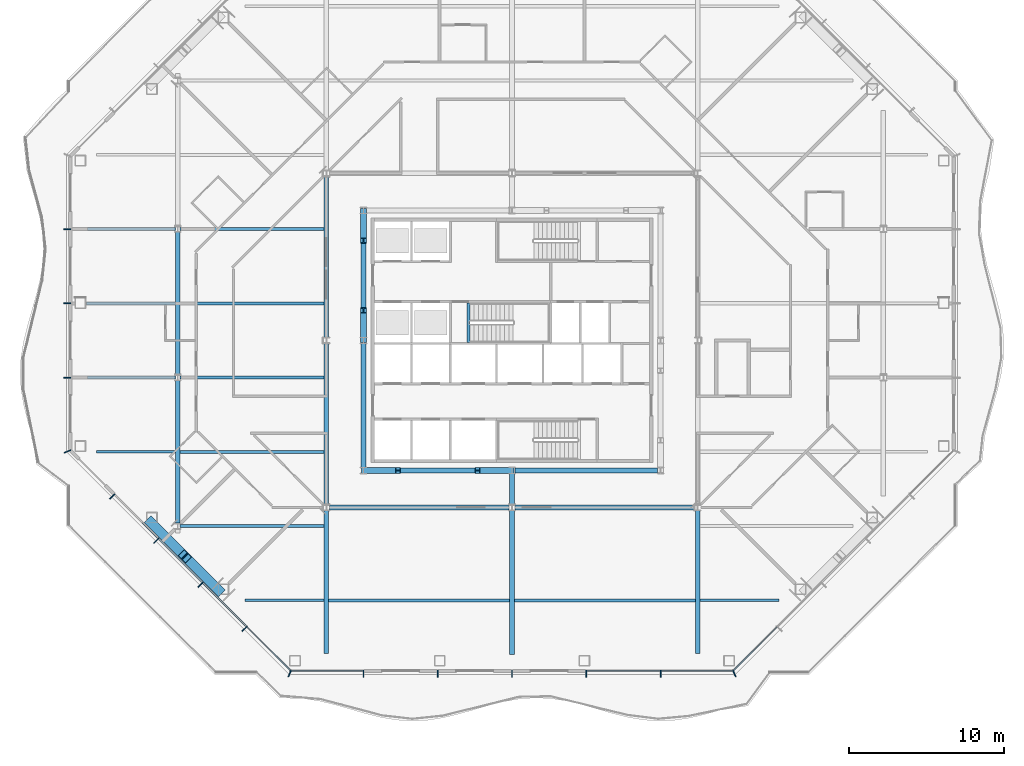
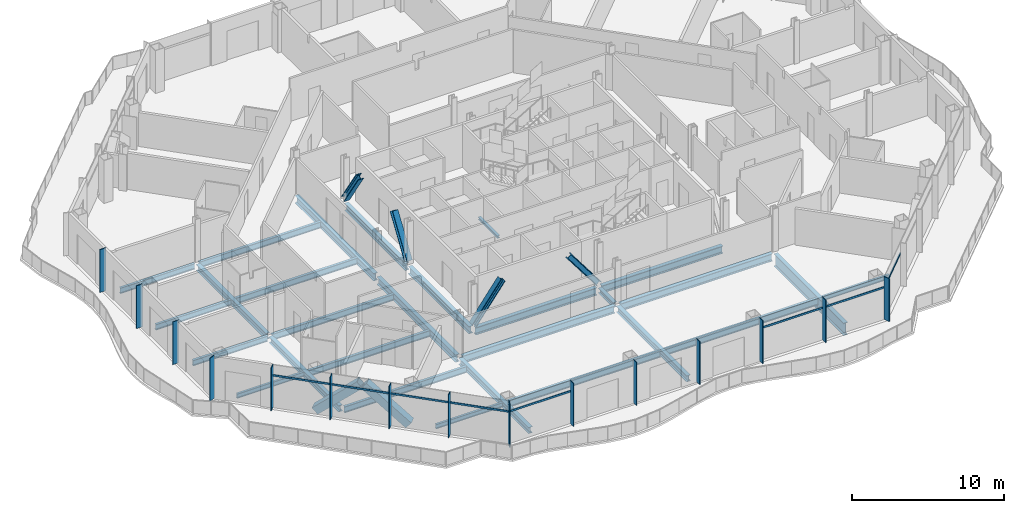
# One storey, part 3 of 24: 29 members, 28 beams, 4 elements without a shape of their own.
"""IFC4 building model written with IfcOpenShell, lengths in metres."""

import ifcopenshell
import ifcopenshell.guid

model = None  # the IFC model being written
_history = None  # IfcOwnerHistory: only IFC2X3 demands one
_inside = {}  # id of a spatial element -> (the spatial element, [elements in it])
_under = {}  # id of a project, library or spatial element -> (it, [spatial elements below it])
_declared = {}  # id of a project -> (the project, [libraries it declares])
_typed = {}  # id of a type object -> (the type object, [elements of that type])
_made_of = {}  # id of a material, layer set ... -> (it, [elements and type objects made of it])


def new_model(schema):
    """Start an empty IFC model of exactly this schema.

    Asked for "IFC4X3", IfcOpenShell would pick the latest addendum, in which some entities
    have other attributes; the version numbers below select the first issue.
    IFC2X3 requires an IfcOwnerHistory on every rooted entity: one is made here for all.
    """
    global model, _history
    if schema == "IFC4X3":
        model = ifcopenshell.file(schema_version=(4, 3, 0, 0))
    else:
        model = ifcopenshell.file(schema=schema)
    _inside.clear()
    _under.clear()
    _declared.clear()
    _typed.clear()
    _made_of.clear()
    _history = None
    if model.schema == "IFC2X3":
        org = make("IfcOrganization", Name="unknown")
        user = make(
            "IfcPersonAndOrganization",
            ThePerson=make("IfcPerson", FamilyName="unknown"),
            TheOrganization=org,
        )
        app = make(
            "IfcApplication",
            ApplicationDeveloper=org,
            Version="unknown",
            ApplicationFullName="unknown",
            ApplicationIdentifier="unknown",
        )
        _history = make(
            "IfcOwnerHistory",
            OwningUser=user,
            OwningApplication=app,
            ChangeAction="ADDED",
            CreationDate=0,
        )
    return model


def make(cls, **values):
    """One entity of the class cls with the attributes given. An attribute that is None is left unset."""
    return model.create_entity(
        cls, **{name: value for name, value in values.items() if value is not None}
    )


def rooted(cls, **values):
    """An entity with a GlobalId (a new one), such as an element, a storey or a relation."""
    return make(cls, GlobalId=ifcopenshell.guid.new(), OwnerHistory=_history, **values)


def si_unit(unit_type, name, prefix=None):
    """IfcSIUnit, for example si_unit("LENGTHUNIT", "METRE", prefix="MILLI")."""
    return make("IfcSIUnit", UnitType=unit_type, Prefix=prefix, Name=name)


def assignment(units):
    """IfcUnitAssignment: the units of a project."""
    return None if units is None else make("IfcUnitAssignment", Units=units)


def point(xyz):
    """IfcCartesianPoint."""
    return None if xyz is None else make("IfcCartesianPoint", Coordinates=xyz)


def direction(xyz):
    """IfcDirection."""
    return None if xyz is None else make("IfcDirection", DirectionRatios=xyz)


def frame(location, z_axis=None, x_axis=None):
    """IfcAxis2Placement3D, a coordinate frame: its origin and axes. An axis left out is left unset."""
    return make(
        "IfcAxis2Placement3D",
        Location=point(location),
        Axis=direction(z_axis),
        RefDirection=direction(x_axis),
    )


def frame_2d(location, x_axis=None):
    """IfcAxis2Placement2D, a coordinate frame in the plane: its origin and x axis."""
    return make(
        "IfcAxis2Placement2D", Location=point(location), RefDirection=direction(x_axis)
    )


def origin():
    """The frame at (0, 0, 0) with its axes left unset."""
    return frame((0.0, 0.0, 0.0))


def origin_2d():
    """The frame at (0, 0) in the plane with its x axis left unset."""
    return frame_2d((0.0, 0.0))


def place(relative_to, where):
    """IfcLocalPlacement: puts the frame where relative to a parent placement (None: the world)."""
    return make(
        "IfcLocalPlacement", PlacementRelTo=relative_to, RelativePlacement=where
    )


def context(
    kind, dimensions, precision=None, world=None, true_north=None, identifier=None
):
    """IfcGeometricRepresentationContext, for example the 3D "Model" context."""
    return make(
        "IfcGeometricRepresentationContext",
        ContextIdentifier=identifier,
        ContextType=kind,
        CoordinateSpaceDimension=dimensions,
        Precision=precision,
        WorldCoordinateSystem=world,
        TrueNorth=true_north,
    )


def subcontext(parent, identifier, kind, view, scale=None):
    """IfcGeometricRepresentationSubContext, for example "Body" below "Model"."""
    return make(
        "IfcGeometricRepresentationSubContext",
        ContextIdentifier=identifier,
        ContextType=kind,
        ParentContext=parent,
        TargetScale=scale,
        TargetView=view,
    )


def project(units=None, contexts=None):
    """IfcProject with its units and contexts."""
    return rooted(
        "IfcProject",
        Name="project",
        RepresentationContexts=contexts,
        UnitsInContext=assignment(units),
    )


def spatial(cls, under=None, at=None, **own):
    """A site, building, storey or space (cls), placed at a placement, below another one or the project."""
    s = rooted(cls, ObjectPlacement=at, **own)
    if under is not None:
        _under.setdefault(under.id(), (under, []))[1].append(s)
    return s


def profile(cls, at=None, kind="AREA", **sizes):
    """A parametric profile (cls). Its sizes go by their IFC names, for example OverallWidth=200.0."""
    return make(cls, ProfileType=kind, Position=at, **sizes)


def rectangle(**sizes):
    """IfcRectangleProfileDef."""
    return profile("IfcRectangleProfileDef", **sizes)


def hollow_rectangle(**sizes):
    """IfcRectangleHollowProfileDef."""
    return profile("IfcRectangleHollowProfileDef", **sizes)


def i_section(**sizes):
    """IfcIShapeProfileDef."""
    return profile("IfcIShapeProfileDef", **sizes)


def extrude(swept, where, along, depth):
    """IfcExtrudedAreaSolid: the profile swept, set in the frame where, extruded along a direction by depth."""
    return make(
        "IfcExtrudedAreaSolid",
        SweptArea=swept,
        Position=where,
        ExtrudedDirection=direction(along),
        Depth=depth,
    )


def shape(context_of_items, identifier, shape_type, items):
    """IfcShapeRepresentation: the items that make up one representation, for example the "Body"."""
    return make(
        "IfcShapeRepresentation",
        ContextOfItems=context_of_items,
        RepresentationIdentifier=identifier,
        RepresentationType=shape_type,
        Items=items,
    )


def material(Name=None, Category=None):
    """IfcMaterial."""
    return make("IfcMaterial", Name=Name, Category=Category)


def material_profile(
    of_material, cross_section, Name=None, Category=None, Priority=None
):
    """IfcMaterialProfile: a cross section and its material."""
    return make(
        "IfcMaterialProfile",
        Name=Name,
        Material=of_material,
        Profile=cross_section,
        Priority=Priority,
        Category=Category,
    )


def profile_set(profiles, Name=None, composite=None):
    """IfcMaterialProfileSet."""
    return make(
        "IfcMaterialProfileSet",
        Name=Name,
        MaterialProfiles=profiles,
        CompositeProfile=composite,
    )


def made_of(thing, what):
    """Note that an element or type object is made of a material, layer set ...; save() writes the relation."""
    if what is not None:
        _made_of.setdefault(what.id(), (what, []))[1].append(thing)
    return thing


def type_object(cls, material=None, **own):
    """A type object (cls), such as IfcWallType, which elements share."""
    return made_of(rooted(cls, **own), material)


def element(
    cls,
    number,
    at=None,
    inside=None,
    cuts=None,
    type_object=None,
    material=None,
    context=None,
    identifier="Body",
    shape_type=None,
    held_by="IfcProductDefinitionShape",
    body=None,
    shapes=None,
    **own,
):
    """One element of the class cls, such as IfcWall. Its Tag is "e" and its number.

    at: its placement. inside: the storey or other place that contains it. cuts: it is an
    opening in that element (IfcRelVoidsElement). A single representation is given by context,
    identifier, shape_type and body (its items); several are given by shapes. held_by: the class
    of the entity that holds the representations. save() writes the other relations.
    """
    e = rooted(cls, Tag="e%d" % number, ObjectPlacement=at, **own)
    if body is not None:
        shapes = [shape(context, identifier, shape_type, body)]
    if shapes is not None:
        e.Representation = make(held_by, Representations=shapes)
    if inside is not None:
        _inside.setdefault(inside.id(), (inside, []))[1].append(e)
    if cuts is not None:
        rooted(
            "IfcRelVoidsElement", RelatingBuildingElement=cuts, RelatedOpeningElement=e
        )
    if type_object is not None:
        _typed.setdefault(type_object.id(), (type_object, []))[1].append(e)
    return made_of(e, material)


def aggregate(whole, parts):
    """IfcRelAggregates: a whole, such as a stair, and the parts it consists of."""
    return rooted("IfcRelAggregates", RelatingObject=whole, RelatedObjects=parts)


def save(model, path):
    """Write the relations noted so far, then the file.

    IfcRelAggregates (storeys below a building ...), IfcRelContainedInSpatialStructure (elements
    in a storey), IfcRelDefinesByType, IfcRelAssociatesMaterial and IfcRelDeclares: one each for
    every whole, place, type object, material and project.
    """
    for whole, parts in _under.values():
        aggregate(whole, parts)
    for where, things in _inside.values():
        rooted(
            "IfcRelContainedInSpatialStructure",
            RelatedElements=things,
            RelatingStructure=where,
        )
    for kind, things in _typed.values():
        rooted("IfcRelDefinesByType", RelatedObjects=things, RelatingType=kind)
    for what, things in _made_of.values():
        rooted("IfcRelAssociatesMaterial", RelatedObjects=things, RelatingMaterial=what)
    for by, libraries in _declared.values():
        rooted("IfcRelDeclares", RelatingContext=by, RelatedDefinitions=libraries)
    model.write(path)


model = new_model("IFC4")

# Units and contexts
model_context = context("Model", 3, precision=1e-05, world=origin(), true_north=direction((0.0, 1.0)))
body_context = subcontext(model_context, "Body", "Model", "MODEL_VIEW")
ifc_project = project(units=[si_unit("LENGTHUNIT", "METRE"), si_unit("AREAUNIT", "SQUARE_METRE"), si_unit("VOLUMEUNIT", "CUBIC_METRE"), si_unit("PLANEANGLEUNIT", "RADIAN"), si_unit("MASSUNIT", "GRAM", prefix="KILO")], contexts=[model_context])

# Site, building, storey
site_placement = place(None, origin())
site = spatial("IfcSite", under=ifc_project, at=site_placement, CompositionType="ELEMENT")
building_placement = place(site_placement, origin())
building = spatial("IfcBuilding", under=site, at=building_placement, Name="Cairn Pilgrim Tower", CompositionType="ELEMENT")
storey_placement = place(building_placement, frame((0.0, 0.0, 125.39990234375)))
storey = spatial("IfcBuildingStorey", under=building, at=storey_placement, Name="L30", CompositionType="ELEMENT", Elevation=125.39990234375)

# Members
ifc_material_1 = material(Name="Structural steel S460M", Category="steel")
ifc_material_profile_1 = material_profile(ifc_material_1, hollow_rectangle(XDim=0.60009765625, YDim=0.60009765625, WallThickness=0.034912109375, at=origin_2d()), Name="BOX 600x600x35")
ifc_profile_set_1 = profile_set([ifc_material_profile_1], Name="Structural steel S460M")
member_type_1 = type_object("IfcMemberType", Name="BOX 600x600x35 BRACE", PredefinedType="BRACE", material=ifc_profile_set_1)
member_1_placement = place(storey_placement, frame((-16.213623046875, -9.288330078125, 0.150146484375), z_axis=(0.53557713953, -0.53557713953, 0.652927450201), x_axis=(0.707106781187, 0.707106781187, 0.0)))
element("IfcMember", 1, at=member_1_placement, inside=storey, type_object=member_type_1, Name="XB-SW2-SW3-1", PredefinedType="BRACE", context=body_context, shape_type="SweptSolid", body=[
    extrude(hollow_rectangle(XDim=0.60009765625, YDim=0.60009765625, WallThickness=0.034912109375, at=origin_2d()), origin(), (0.0, 0.0, 1.0), 4.0361328125),
])
member_2_placement = place(storey_placement, frame((-11.6884765625, -13.813720703125, 0.150146484375), z_axis=(-0.535533998665, 0.535594490476, 0.652948602913), x_axis=(-0.707146713802, -0.707066846316, 0.0)))
element("IfcMember", 2, at=member_2_placement, inside=storey, type_object=member_type_1, Name="XB-SW2-SW3-2", PredefinedType="BRACE", context=body_context, shape_type="SweptSolid", body=[
    extrude(hollow_rectangle(XDim=0.60009765625, YDim=0.60009765625, WallThickness=0.034912109375, at=origin_2d()), origin(), (0.0, 0.0, 1.0), 4.035888671875),
])

# Curtain wall, members
ifc_material_2 = material(Name="Aluminium alloy 6063-T6 bronze anodised with Bronze tinted laminated low-E glass 8+16+8.8", Category="aluminium")
curtain_wall_type = type_object("IfcCurtainWallType", Name="FULL HEIGHT CURTAIN WALL", PredefinedType="NOTDEFINED", material=ifc_material_2)
curtain_wall_1_placement = place(storey_placement, origin())
curtain_wall_1 = element("IfcCurtainWall", 3, at=curtain_wall_1_placement, inside=storey, type_object=curtain_wall_type, Name="Full Height Curtain Wall S", PredefinedType="NOTDEFINED")
ifc_material_3 = material(Name="Aluminium alloy 6063-T6 bronze anodised", Category="aluminium")
ifc_material_profile_2 = material_profile(ifc_material_3, rectangle(XDim=0.449951171875, YDim=0.06005859375, at=origin_2d()), Name="FIN MULLION 60x450 BRONZE")
ifc_profile_set_2 = profile_set([ifc_material_profile_2], Name="Aluminium alloy 6063-T6 bronze anodised")
member_type_2 = type_object("IfcMemberType", Name="FIN MULLION 60x450 BRONZE", PredefinedType="MULLION", material=ifc_profile_set_2)
member_3_placement = place(storey_placement, frame((-7.171142578125, -19.130126953125, 0.0), z_axis=(0.0, 0.0, 1.0), x_axis=(-0.382683432365, -0.923879532511, 0.0)))
member_3 = element("IfcMember", 4, at=member_3_placement, type_object=member_type_2, Name="Fin mullion S1", PredefinedType="MULLION", context=body_context, shape_type="SweptSolid", body=[
    extrude(rectangle(XDim=0.449951171875, YDim=0.06005859375, at=origin_2d()), origin(), (0.0, 0.0, 1.0), 3.4501953125),
])
member_4_placement = place(storey_placement, frame((-2.39990234375, -19.14501953125, 0.0), z_axis=(0.0, 0.0, 1.0), x_axis=(0.0, -1.0, 0.0)))
member_4 = element("IfcMember", 5, at=member_4_placement, type_object=member_type_2, Name="Fin mullion S2", PredefinedType="MULLION", context=body_context, shape_type="SweptSolid", body=[
    extrude(rectangle(XDim=0.449951171875, YDim=0.06005859375, at=origin_2d()), origin(), (0.0, 0.0, 1.0), 3.4501953125),
])
member_5_placement = place(storey_placement, frame((2.39990234375, -19.14501953125, 0.0), z_axis=(0.0, 0.0, 1.0), x_axis=(0.0, -1.0, 0.0)))
member_5 = element("IfcMember", 6, at=member_5_placement, type_object=member_type_2, Name="Fin mullion S3", PredefinedType="MULLION", context=body_context, shape_type="SweptSolid", body=[
    extrude(rectangle(XDim=0.449951171875, YDim=0.06005859375, at=origin_2d()), origin(), (0.0, 0.0, 1.0), 3.4501953125),
])
member_6_placement = place(storey_placement, frame((7.199951171875, -19.14501953125, 0.0), z_axis=(0.0, 0.0, 1.0), x_axis=(0.0, -1.0, 0.0)))
member_6 = element("IfcMember", 7, at=member_6_placement, type_object=member_type_2, Name="Fin mullion S4", PredefinedType="MULLION", context=body_context, shape_type="SweptSolid", body=[
    extrude(rectangle(XDim=0.449951171875, YDim=0.06005859375, at=origin_2d()), origin(), (0.0, 0.0, 1.0), 3.4501953125),
])
member_7_placement = place(storey_placement, frame((12.0, -19.14501953125, 0.0), z_axis=(0.0, 0.0, 1.0), x_axis=(0.0, -1.0, 0.0)))
member_7 = element("IfcMember", 8, at=member_7_placement, type_object=member_type_2, Name="Fin mullion S5", PredefinedType="MULLION", context=body_context, shape_type="SweptSolid", body=[
    extrude(rectangle(XDim=0.449951171875, YDim=0.06005859375, at=origin_2d()), origin(), (0.0, 0.0, 1.0), 3.4501953125),
])
member_8_placement = place(storey_placement, frame((16.800048828125, -19.14501953125, 0.0), z_axis=(0.0, 0.0, 1.0), x_axis=(0.0, -1.0, 0.0)))
member_8 = element("IfcMember", 9, at=member_8_placement, type_object=member_type_2, Name="Fin mullion S6", PredefinedType="MULLION", context=body_context, shape_type="SweptSolid", body=[
    extrude(rectangle(XDim=0.449951171875, YDim=0.06005859375, at=origin_2d()), origin(), (0.0, 0.0, 1.0), 3.4501953125),
])

# Curtain wall, member
curtain_wall_2_placement = place(storey_placement, origin())
curtain_wall_2 = element("IfcCurtainWall", 10, at=curtain_wall_2_placement, inside=storey, type_object=curtain_wall_type, Name="Full Height Curtain Wall SE", PredefinedType="NOTDEFINED")
member_9_placement = place(storey_placement, frame((21.571044921875, -19.130126953125, 0.0), z_axis=(0.0, 0.0, 1.0), x_axis=(0.382683432365, -0.923879532511, 0.0)))
member_9 = element("IfcMember", 11, at=member_9_placement, type_object=member_type_2, Name="Fin mullion SE1", PredefinedType="MULLION", context=body_context, shape_type="SweptSolid", body=[
    extrude(rectangle(XDim=0.449951171875, YDim=0.06005859375, at=origin_2d()), origin(), (0.0, 0.0, 1.0), 3.4501953125),
])

# Curtain wall, members
curtain_wall_3_placement = place(storey_placement, origin())
curtain_wall_3 = element("IfcCurtainWall", 12, at=curtain_wall_3_placement, inside=storey, type_object=curtain_wall_type, Name="Full Height Curtain Wall W", PredefinedType="NOTDEFINED")
member_10_placement = place(storey_placement, frame((-21.544921875, 9.60009765625, 0.0), z_axis=(0.0, 0.0, 1.0), x_axis=(-1.0, 0.0, 0.0)))
member_10 = element("IfcMember", 13, at=member_10_placement, type_object=member_type_2, Name="Fin mullion W2", PredefinedType="MULLION", context=body_context, shape_type="SweptSolid", body=[
    extrude(rectangle(XDim=0.449951171875, YDim=0.06005859375, at=origin_2d()), origin(), (0.0, 0.0, 1.0), 3.4501953125),
])
member_11_placement = place(storey_placement, frame((-21.544921875, 4.800048828125, 0.0), z_axis=(0.0, 0.0, 1.0), x_axis=(-1.0, 0.0, 0.0)))
member_11 = element("IfcMember", 14, at=member_11_placement, type_object=member_type_2, Name="Fin mullion W3", PredefinedType="MULLION", context=body_context, shape_type="SweptSolid", body=[
    extrude(rectangle(XDim=0.449951171875, YDim=0.06005859375, at=origin_2d()), origin(), (0.0, 0.0, 1.0), 3.4501953125),
])
member_12_placement = place(storey_placement, frame((-21.544921875, 0.0, 0.0), z_axis=(0.0, 0.0, 1.0), x_axis=(-1.0, 0.0, 0.0)))
member_12 = element("IfcMember", 15, at=member_12_placement, type_object=member_type_2, Name="Fin mullion W4", PredefinedType="MULLION", context=body_context, shape_type="SweptSolid", body=[
    extrude(rectangle(XDim=0.449951171875, YDim=0.06005859375, at=origin_2d()), origin(), (0.0, 0.0, 1.0), 3.4501953125),
])
aggregate(curtain_wall_3, [member_10, member_11, member_12])

curtain_wall_4_placement = place(storey_placement, origin())
curtain_wall_4 = element("IfcCurtainWall", 16, at=curtain_wall_4_placement, inside=storey, type_object=curtain_wall_type, Name="Full Height Curtain Wall SW", PredefinedType="NOTDEFINED")
member_13_placement = place(storey_placement, frame((-21.5302734375, -4.77099609375, 0.0), z_axis=(0.0, 0.0, 1.0), x_axis=(-0.923879532511, -0.382683432365, 0.0)))
member_13 = element("IfcMember", 17, at=member_13_placement, type_object=member_type_2, Name="Fin mullion SW1", PredefinedType="MULLION", context=body_context, shape_type="SweptSolid", body=[
    extrude(rectangle(XDim=0.449951171875, YDim=0.06005859375, at=origin_2d()), origin(), (0.0, 0.0, 1.0), 3.4501953125),
])
member_14_placement = place(storey_placement, frame((-18.63720703125, -7.68505859375, 0.0), z_axis=(0.0, 0.0, 1.0), x_axis=(-0.707106781187, -0.707106781187, 0.0)))
member_14 = element("IfcMember", 18, at=member_14_placement, type_object=member_type_2, Name="Fin mullion SW2", PredefinedType="MULLION", context=body_context, shape_type="SweptSolid", body=[
    extrude(rectangle(XDim=0.449951171875, YDim=0.06005859375, at=origin_2d()), origin(), (0.0, 0.0, 1.0), 3.4501953125),
])
member_15_placement = place(storey_placement, frame((-15.786376953125, -10.53564453125, 0.0), z_axis=(0.0, 0.0, 1.0), x_axis=(-0.707106781187, -0.707106781187, 0.0)))
member_15 = element("IfcMember", 19, at=member_15_placement, type_object=member_type_2, Name="Fin mullion SW3", PredefinedType="MULLION", context=body_context, shape_type="SweptSolid", body=[
    extrude(rectangle(XDim=0.449951171875, YDim=0.06005859375, at=origin_2d()), origin(), (0.0, 0.0, 1.0), 3.4501953125),
])
member_16_placement = place(storey_placement, frame((-12.935791015625, -13.386474609375, 0.0), z_axis=(0.0, 0.0, 1.0), x_axis=(-0.707106781187, -0.707106781187, 0.0)))
member_16 = element("IfcMember", 20, at=member_16_placement, type_object=member_type_2, Name="Fin mullion SW4", PredefinedType="MULLION", context=body_context, shape_type="SweptSolid", body=[
    extrude(rectangle(XDim=0.449951171875, YDim=0.06005859375, at=origin_2d()), origin(), (0.0, 0.0, 1.0), 3.4501953125),
])
member_17_placement = place(storey_placement, frame((-10.0849609375, -16.237060546875, 0.0), z_axis=(0.0, 0.0, 1.0), x_axis=(-0.707106781187, -0.707106781187, 0.0)))
member_17 = element("IfcMember", 21, at=member_17_placement, type_object=member_type_2, Name="Fin mullion SW5", PredefinedType="MULLION", context=body_context, shape_type="SweptSolid", body=[
    extrude(rectangle(XDim=0.449951171875, YDim=0.06005859375, at=origin_2d()), origin(), (0.0, 0.0, 1.0), 3.4501953125),
])

# Members
ifc_material_profile_3 = material_profile(ifc_material_1, i_section(OverallWidth=0.408935546875, OverallDepth=0.425048828125, WebThickness=0.03271484375, FlangeThickness=0.052490234375, FilletRadius=0.014892578125, at=origin_2d()), Name="HD 400x421")
ifc_profile_set_3 = profile_set([ifc_material_profile_3], Name="Structural steel S460M")
member_type_3 = type_object("IfcMemberType", Name="HD 400x421 BRACE", PredefinedType="BRACE", material=ifc_profile_set_3)
for number, where, z_axis, x_axis, name in (
    (22, (-2.357666015625, -6.0, 0.10009765625), (0.601354303782, 0.0, 0.798982478734), (0.0, 1.0, 0.0), "KB-1A"),
    (23, (7.15771484375, -6.0, 0.10009765625), (-0.601354303782, 0.0, 0.798982478734), (0.0, -1.0, 0.0), "KB-1B"),
):
    element("IfcMember", number, at=place(storey_placement, frame(where, z_axis=z_axis, x_axis=x_axis)), inside=storey, type_object=member_type_3, Name=name, PredefinedType="BRACE", context=body_context, shape_type="SweptSolid", body=[
        extrude(i_section(OverallWidth=0.408935546875, OverallDepth=0.425048828125, WebThickness=0.03271484375, FlangeThickness=0.052490234375, FilletRadius=0.014892578125, at=origin_2d()), origin(), (0.0, 0.0, 1.0), 3.6318359375),
    ])
for number, where, z_axis, x_axis, name in (
    (24, (-2.39990234375, 10.757568359375, 0.10009765625), (0.0, -0.548840864027, 0.83592685444), (1.0, 0.0, 0.0), "KB-4A"),
    (25, (-2.39990234375, 2.4423828125, 0.10009765625), (0.0, 0.548840864027, 0.83592685444), (-1.0, 0.0, 0.0), "KB-4B"),
):
    element("IfcMember", number, at=place(storey_placement, frame(where, z_axis=z_axis, x_axis=x_axis)), inside=storey, type_object=member_type_3, Name=name, PredefinedType="BRACE", context=body_context, shape_type="SweptSolid", body=[
        extrude(i_section(OverallWidth=0.408935546875, OverallDepth=0.425048828125, WebThickness=0.03271484375, FlangeThickness=0.052490234375, FilletRadius=0.014892578125, at=origin_2d()), origin(), (0.0, 0.0, 1.0), 3.4697265625),
    ])

# Beams
ifc_material_4 = material(Name="Structural steel S355J2", Category="steel")
ifc_material_profile_4 = material_profile(ifc_material_4, i_section(OverallWidth=0.300048828125, OverallDepth=0.39990234375, WebThickness=0.013427734375, FlangeThickness=0.02392578125, FilletRadius=0.027099609375, at=origin_2d()), Name="HEB 400")
ifc_profile_set_4 = profile_set([ifc_material_profile_4], Name="Structural steel S355J2")
beam_type_1 = type_object("IfcBeamType", Name="HEB 400 GIRDER", PredefinedType="BEAM", material=ifc_profile_set_4)
beam_1_placement = place(storey_placement, frame((7.199951171875, -8.195556640625, -0.349853515625), z_axis=(0.0, 1.0, 0.0), x_axis=(-1.0, 0.0, 0.0)))
element("IfcBeam", 26, at=beam_1_placement, inside=storey, type_object=beam_type_1, Name="PG3-E1", PredefinedType="BEAM", context=body_context, shape_type="SweptSolid", body=[
    extrude(i_section(OverallWidth=0.300048828125, OverallDepth=0.39990234375, WebThickness=0.013427734375, FlangeThickness=0.02392578125, FilletRadius=0.027099609375, at=origin_2d()), origin(), (0.0, 0.0, 1.0), 1.983642578125),
])
ifc_material_profile_5 = material_profile(ifc_material_4, i_section(OverallWidth=0.300048828125, OverallDepth=0.5, WebThickness=0.014404296875, FlangeThickness=0.028076171875, FilletRadius=0.027099609375, at=origin_2d()), Name="HEB 500")
ifc_profile_set_5 = profile_set([ifc_material_profile_5], Name="Structural steel S355J2")
beam_type_2 = type_object("IfcBeamType", Name="HEB 500 GIRDER", PredefinedType="BEAM", material=ifc_profile_set_5)
for number, where, z_axis, x_axis, name in (
    (27, (-14.39990234375, -9.400390625, -0.39990234375), (0.0, 1.0, 0.0), (-1.0, 0.0, 0.0), "PG1-1"),
    (28, (-14.39990234375, 0.199462890625, -0.39990234375), (0.0, 1.0, 0.0), (-1.0, 0.0, 0.0), "PG1-2"),
):
    element("IfcBeam", number, at=place(storey_placement, frame(where, z_axis=z_axis, x_axis=x_axis)), inside=storey, type_object=beam_type_2, Name=name, PredefinedType="BEAM", context=body_context, shape_type="SweptSolid", body=[
        extrude(i_section(OverallWidth=0.300048828125, OverallDepth=0.5, WebThickness=0.014404296875, FlangeThickness=0.028076171875, FilletRadius=0.027099609375, at=origin_2d()), origin(), (0.0, 0.0, 1.0), 9.200927734375),
    ])
beam_2_placement = place(storey_placement, frame((-4.800048828125, -17.830078125, -0.39990234375), z_axis=(0.0, 1.0, 0.0), x_axis=(-1.0, 0.0, 0.0)))
element("IfcBeam", 29, at=beam_2_placement, inside=storey, type_object=beam_type_2, Name="PG2-1", PredefinedType="BEAM", context=body_context, shape_type="SweptSolid", body=[
    extrude(i_section(OverallWidth=0.300048828125, OverallDepth=0.5, WebThickness=0.014404296875, FlangeThickness=0.028076171875, FilletRadius=0.027099609375, at=origin_2d()), origin(), (0.0, 0.0, 1.0), 9.2255859375),
])
beam_3_placement = place(storey_placement, frame((7.199951171875, -17.89990234375, -0.39990234375), z_axis=(0.0, 1.0, 0.0), x_axis=(-1.0, 0.0, 0.0)))
element("IfcBeam", 30, at=beam_3_placement, inside=storey, type_object=beam_type_2, Name="PG3-1", PredefinedType="BEAM", context=body_context, shape_type="SweptSolid", body=[
    extrude(i_section(OverallWidth=0.300048828125, OverallDepth=0.5, WebThickness=0.014404296875, FlangeThickness=0.028076171875, FilletRadius=0.027099609375, at=origin_2d()), origin(), (0.0, 0.0, 1.0), 9.29541015625),
])
ifc_material_profile_6 = material_profile(ifc_material_4, i_section(OverallWidth=0.300048828125, OverallDepth=0.60009765625, WebThickness=0.015380859375, FlangeThickness=0.030029296875, FilletRadius=0.027099609375, at=origin_2d()), Name="HEB 600")
ifc_profile_set_6 = profile_set([ifc_material_profile_6], Name="Structural steel S355J2")
beam_type_3 = type_object("IfcBeamType", Name="HEB 600 CORE BEAM", PredefinedType="BEAM", material=ifc_profile_set_6)
beam_4_placement = place(storey_placement, frame((-2.209228515625, -6.0, -0.449951171875), z_axis=(1.0, 0.0, 0.0), x_axis=(0.0, 1.0, 0.0)))
element("IfcBeam", 31, at=beam_4_placement, inside=storey, type_object=beam_type_3, Name="CB-1", PredefinedType="BEAM", context=body_context, shape_type="SweptSolid", body=[
    extrude(i_section(OverallWidth=0.300048828125, OverallDepth=0.60009765625, WebThickness=0.015380859375, FlangeThickness=0.030029296875, FilletRadius=0.027099609375, at=origin_2d()), origin(), (0.0, 0.0, 1.0), 9.218505859375),
])
beam_5_placement = place(storey_placement, frame((7.390869140625, -6.0, -0.449951171875), z_axis=(1.0, 0.0, 0.0), x_axis=(0.0, 1.0, 0.0)))
element("IfcBeam", 32, at=beam_5_placement, inside=storey, type_object=beam_type_3, Name="CB-2", PredefinedType="BEAM", context=body_context, shape_type="SweptSolid", body=[
    extrude(i_section(OverallWidth=0.300048828125, OverallDepth=0.60009765625, WebThickness=0.015380859375, FlangeThickness=0.030029296875, FilletRadius=0.027099609375, at=origin_2d()), origin(), (0.0, 0.0, 1.0), 9.21826171875),
])
for number, where, z_axis, x_axis, name in (
    (33, (-2.39990234375, 10.609130859375, -0.449951171875), (0.0, -1.0, 0.0), (1.0, 0.0, 0.0), "CB-7"),
    (34, (-2.39990234375, 2.209228515625, -0.449951171875), (0.0, -1.0, 0.0), (1.0, 0.0, 0.0), "CB-8"),
):
    element("IfcBeam", number, at=place(storey_placement, frame(where, z_axis=z_axis, x_axis=x_axis)), inside=storey, type_object=beam_type_3, Name=name, PredefinedType="BEAM", context=body_context, shape_type="SweptSolid", body=[
        extrude(i_section(OverallWidth=0.300048828125, OverallDepth=0.60009765625, WebThickness=0.015380859375, FlangeThickness=0.030029296875, FilletRadius=0.027099609375, at=origin_2d()), origin(), (0.0, 0.0, 1.0), 8.018310546875),
    ])
ifc_material_profile_7 = material_profile(ifc_material_4, i_section(OverallWidth=0.300048828125, OverallDepth=0.60009765625, WebThickness=0.015380859375, FlangeThickness=0.030029296875, FilletRadius=0.027099609375, at=origin_2d()), Name="HEB 600")
ifc_profile_set_7 = profile_set([ifc_material_profile_7], Name="Structural steel S355J2")
beam_type_4 = type_object("IfcBeamType", Name="HEB 600 GIRDER", PredefinedType="BEAM", material=ifc_profile_set_7)
for number, where, z_axis, x_axis, name in (
    (35, (-4.800048828125, -8.195556640625, -0.449951171875), (0.0, 1.0, 0.0), (-1.0, 0.0, 0.0), "PG2-2"),
    (36, (-4.800048828125, 2.6044921875, -0.449951171875), (0.0, 1.0, 0.0), (-1.0, 0.0, 0.0), "PG2-3"),
):
    element("IfcBeam", number, at=place(storey_placement, frame(where, z_axis=z_axis, x_axis=x_axis)), inside=storey, type_object=beam_type_4, Name=name, PredefinedType="BEAM", context=body_context, shape_type="SweptSolid", body=[
        extrude(i_section(OverallWidth=0.300048828125, OverallDepth=0.60009765625, WebThickness=0.015380859375, FlangeThickness=0.030029296875, FilletRadius=0.027099609375, at=origin_2d()), origin(), (0.0, 0.0, 1.0), 10.39111328125),
    ])
ifc_material_profile_8 = material_profile(ifc_material_4, i_section(OverallWidth=0.300048828125, OverallDepth=0.60009765625, WebThickness=0.015380859375, FlangeThickness=0.030029296875, FilletRadius=0.027099609375, at=origin_2d()), Name="HEB 600")
ifc_profile_set_8 = profile_set([ifc_material_profile_8], Name="Structural steel S355J2")
beam_type_5 = type_object("IfcBeamType", Name="HEB 600 INNER GIRDER", PredefinedType="BEAM", material=ifc_profile_set_8)
for number, where, z_axis, x_axis, name in (
    (37, (-4.595458984375, -8.39990234375, -0.449951171875), (1.0, 0.0, 0.0), (0.0, 1.0, 0.0), "IG1-1"),
    (38, (7.404541015625, -8.39990234375, -0.449951171875), (1.0, 0.0, 0.0), (0.0, 1.0, 0.0), "IG1-2"),
):
    element("IfcBeam", number, at=place(storey_placement, frame(where, z_axis=z_axis, x_axis=x_axis)), inside=storey, type_object=beam_type_5, Name=name, PredefinedType="BEAM", context=body_context, shape_type="SweptSolid", body=[
        extrude(i_section(OverallWidth=0.300048828125, OverallDepth=0.60009765625, WebThickness=0.015380859375, FlangeThickness=0.030029296875, FilletRadius=0.027099609375, at=origin_2d()), origin(), (0.0, 0.0, 1.0), 11.591064453125),
    ])
ifc_material_profile_9 = material_profile(ifc_material_4, i_section(OverallWidth=0.302001953125, OverallDepth=1.008056640625, WebThickness=0.02099609375, FlangeThickness=0.0400390625, FilletRadius=0.030029296875, at=origin_2d()), Name="HEM 1000")
ifc_profile_set_9 = profile_set([ifc_material_profile_9], Name="Structural steel S355J2")
beam_type_6 = type_object("IfcBeamType", Name="HEM 1000 GIRDER", PredefinedType="BEAM", material=ifc_profile_set_9)
beam_6_placement = place(storey_placement, frame((19.199951171875, -17.830078125, -0.65380859375), z_axis=(0.0, 1.0, 0.0), x_axis=(-1.0, 0.0, 0.0)))
element("IfcBeam", 39, at=beam_6_placement, inside=storey, type_object=beam_type_6, Name="PG4-1", PredefinedType="BEAM", context=body_context, shape_type="SweptSolid", body=[
    extrude(i_section(OverallWidth=0.302001953125, OverallDepth=1.008056640625, WebThickness=0.02099609375, FlangeThickness=0.0400390625, FilletRadius=0.030029296875, at=origin_2d()), origin(), (0.0, 0.0, 1.0), 9.2255859375),
])
ifc_material_profile_10 = material_profile(ifc_material_4, i_section(OverallWidth=0.169921875, OverallDepth=0.360107421875, WebThickness=0.008056640625, FlangeThickness=0.0126953125, FilletRadius=0.01806640625, at=origin_2d()), Name="IPE 360")
ifc_profile_set_10 = profile_set([ifc_material_profile_10], Name="Structural steel S355J2")
beam_type_7 = type_object("IfcBeamType", Name="IPE 360 SECONDARY BEAM", PredefinedType="JOIST", material=ifc_profile_set_10)
for number, where, z_axis, x_axis, name in (
    (40, (-10.050048828125, -14.39990234375, -0.329833984375), (1.0, 0.0, 0.0), (0.0, 1.0, 0.0), "SB1-1"),
    (41, (19.35009765625, -14.39990234375, -0.329833984375), (1.0, 0.0, 0.0), (0.0, 1.0, 0.0), "SB1-4"),
    (42, (-19.650146484375, -4.800048828125, -0.329833984375), (1.0, 0.0, 0.0), (0.0, 1.0, 0.0), "SB3-1"),
):
    element("IfcBeam", number, at=place(storey_placement, frame(where, z_axis=z_axis, x_axis=x_axis)), inside=storey, type_object=beam_type_7, Name=name, PredefinedType="JOIST", context=body_context, shape_type="SweptSolid", body=[
        extrude(i_section(OverallWidth=0.169921875, OverallDepth=0.360107421875, WebThickness=0.008056640625, FlangeThickness=0.0126953125, FilletRadius=0.01806640625, at=origin_2d()), origin(), (0.0, 0.0, 1.0), 5.10009765625),
    ])
ifc_material_profile_11 = material_profile(ifc_material_4, i_section(OverallWidth=0.18994140625, OverallDepth=0.449951171875, WebThickness=0.009521484375, FlangeThickness=0.0146484375, FilletRadius=0.02099609375, at=origin_2d()), Name="IPE 450")
ifc_profile_set_11 = profile_set([ifc_material_profile_11], Name="Structural steel S355J2")
beam_type_8 = type_object("IfcBeamType", Name="IPE 450 SECONDARY BEAM", PredefinedType="JOIST", material=ifc_profile_set_11)
beam_7_placement = place(storey_placement, frame((-20.22998046875, 0.0, -0.375), z_axis=(1.0, 0.0, 0.0), x_axis=(0.0, 1.0, 0.0)))
element("IfcBeam", 43, at=beam_7_placement, inside=storey, type_object=beam_type_8, Name="SB4-1", PredefinedType="JOIST", context=body_context, shape_type="SweptSolid", body=[
    extrude(i_section(OverallWidth=0.18994140625, OverallDepth=0.449951171875, WebThickness=0.009521484375, FlangeThickness=0.0146484375, FilletRadius=0.02099609375, at=origin_2d()), origin(), (0.0, 0.0, 1.0), 5.679931640625),
])
beam_8_placement = place(storey_placement, frame((-20.300048828125, 4.800048828125, -0.375), z_axis=(1.0, 0.0, 0.0), x_axis=(0.0, 1.0, 0.0)))
element("IfcBeam", 44, at=beam_8_placement, inside=storey, type_object=beam_type_8, Name="SB5-1", PredefinedType="JOIST", context=body_context, shape_type="SweptSolid", body=[
    extrude(i_section(OverallWidth=0.18994140625, OverallDepth=0.449951171875, WebThickness=0.009521484375, FlangeThickness=0.0146484375, FilletRadius=0.02099609375, at=origin_2d()), origin(), (0.0, 0.0, 1.0), 5.75),
])
beam_9_placement = place(storey_placement, frame((-20.22998046875, 9.60009765625, -0.375), z_axis=(1.0, 0.0, 0.0), x_axis=(0.0, 1.0, 0.0)))
element("IfcBeam", 45, at=beam_9_placement, inside=storey, type_object=beam_type_8, Name="SB6-1", PredefinedType="JOIST", context=body_context, shape_type="SweptSolid", body=[
    extrude(i_section(OverallWidth=0.18994140625, OverallDepth=0.449951171875, WebThickness=0.009521484375, FlangeThickness=0.0146484375, FilletRadius=0.02099609375, at=origin_2d()), origin(), (0.0, 0.0, 1.0), 5.679931640625),
])
ifc_material_profile_12 = material_profile(ifc_material_4, i_section(OverallWidth=0.199951171875, OverallDepth=0.5, WebThickness=0.01025390625, FlangeThickness=0.01611328125, FilletRadius=0.02099609375, at=origin_2d()), Name="IPE 500")
ifc_profile_set_12 = profile_set([ifc_material_profile_12], Name="Structural steel S355J2")
beam_type_9 = type_object("IfcBeamType", Name="IPE 500 SECONDARY BEAM", PredefinedType="JOIST", material=ifc_profile_set_12)
for number, where, z_axis, x_axis, name in (
    (46, (-14.25, -9.60009765625, -0.39990234375), (1.0, 0.0, 0.0), (0.0, 1.0, 0.0), "SB2-1"),
    (47, (-14.25, -4.800048828125, -0.39990234375), (1.0, 0.0, 0.0), (0.0, 1.0, 0.0), "SB3-2"),
    (48, (-14.25, 0.0, -0.39990234375), (1.0, 0.0, 0.0), (0.0, 1.0, 0.0), "SB4-2"),
    (49, (-14.25, 4.800048828125, -0.39990234375), (1.0, 0.0, 0.0), (0.0, 1.0, 0.0), "SB5-2"),
    (50, (-14.25, 9.60009765625, -0.39990234375), (1.0, 0.0, 0.0), (0.0, 1.0, 0.0), "SB6-2"),
):
    element("IfcBeam", number, at=place(storey_placement, frame(where, z_axis=z_axis, x_axis=x_axis)), inside=storey, type_object=beam_type_9, Name=name, PredefinedType="JOIST", context=body_context, shape_type="SweptSolid", body=[
        extrude(i_section(OverallWidth=0.199951171875, OverallDepth=0.5, WebThickness=0.01025390625, FlangeThickness=0.01611328125, FilletRadius=0.02099609375, at=origin_2d()), origin(), (0.0, 0.0, 1.0), 9.300048828125),
    ])
ifc_material_profile_13 = material_profile(ifc_material_4, i_section(OverallWidth=0.2099609375, OverallDepth=0.550048828125, WebThickness=0.010986328125, FlangeThickness=0.01708984375, FilletRadius=0.02392578125, at=origin_2d()), Name="IPE 550")
ifc_profile_set_13 = profile_set([ifc_material_profile_13], Name="Structural steel S355J2")
beam_type_10 = type_object("IfcBeamType", Name="IPE 550 SECONDARY BEAM", PredefinedType="JOIST", material=ifc_profile_set_13)
for number, where, z_axis, x_axis, name in (
    (51, (-4.64990234375, -14.39990234375, -0.4248046875), (1.0, 0.0, 0.0), (0.0, 1.0, 0.0), "SB1-2"),
    (52, (7.35009765625, -14.39990234375, -0.4248046875), (1.0, 0.0, 0.0), (0.0, 1.0, 0.0), "SB1-3"),
):
    element("IfcBeam", number, at=place(storey_placement, frame(where, z_axis=z_axis, x_axis=x_axis)), inside=storey, type_object=beam_type_10, Name=name, PredefinedType="JOIST", context=body_context, shape_type="SweptSolid", body=[
        extrude(i_section(OverallWidth=0.2099609375, OverallDepth=0.550048828125, WebThickness=0.010986328125, FlangeThickness=0.01708984375, FilletRadius=0.02392578125, at=origin_2d()), origin(), (0.0, 0.0, 1.0), 11.699951171875),
    ])
ifc_material_profile_14 = material_profile(ifc_material_4, i_section(OverallWidth=0.199951171875, OverallDepth=0.199951171875, WebThickness=0.009033203125, FlangeThickness=0.014892578125, FilletRadius=0.01806640625, at=origin_2d()), Name="HE 200 B")
ifc_profile_set_14 = profile_set([ifc_material_profile_14], Name="Structural steel S355J2")
beam_type_11 = type_object("IfcBeamType", Name="STAIR LANDING BEAM HE 200 B", PredefinedType="BEAM", material=ifc_profile_set_14)
beam_10_placement = place(storey_placement, frame((4.37548828125, 2.27490234375, -0.25), z_axis=(0.0, 1.0, 0.0), x_axis=(-1.0, 0.0, 0.0)))
element("IfcBeam", 53, at=beam_10_placement, inside=storey, type_object=beam_type_11, Name="STAIR LANDING BEAM LD-HE200B", PredefinedType="BEAM", context=body_context, shape_type="SweptSolid", body=[
    extrude(i_section(OverallWidth=0.199951171875, OverallDepth=0.199951171875, WebThickness=0.009033203125, FlangeThickness=0.014892578125, FilletRadius=0.01806640625, at=origin_2d()), origin(), (0.0, 0.0, 1.0), 2.550048828125),
])

# Member
ifc_material_profile_15 = material_profile(ifc_material_3, rectangle(XDim=0.080078125, YDim=0.14990234375, at=origin_2d()), Name="TRANSOM 80x150 BRONZE")
ifc_profile_set_15 = profile_set([ifc_material_profile_15], Name="Aluminium alloy 6063-T6 bronze anodised")
member_type_4 = type_object("IfcMemberType", Name="TRANSOM 80x150 BRONZE", PredefinedType="USERDEFINED", material=ifc_profile_set_15)
member_18_placement = place(storey_placement, frame((-7.056396484375, -18.949951171875, 2.60009765625), z_axis=(1.0, 0.0, 0.0), x_axis=(0.0, 1.0, 0.0)))
member_18 = element("IfcMember", 54, at=member_18_placement, type_object=member_type_4, Name="Transom S1", ObjectType="TRANSOM", PredefinedType="USERDEFINED", context=body_context, shape_type="SweptSolid", body=[
    extrude(rectangle(XDim=0.080078125, YDim=0.14990234375, at=origin_2d()), origin(), (0.0, 0.0, 1.0), 4.62646484375),
])

member_19_placement = place(storey_placement, frame((12.030029296875, -18.949951171875, 2.60009765625), z_axis=(1.0, 0.0, 0.0), x_axis=(0.0, 1.0, 0.0)))
member_19 = element("IfcMember", 55, at=member_19_placement, type_object=member_type_4, Name="Transom S5", ObjectType="TRANSOM", PredefinedType="USERDEFINED", context=body_context, shape_type="SweptSolid", body=[
    extrude(rectangle(XDim=0.080078125, YDim=0.14990234375, at=origin_2d()), origin(), (0.0, 0.0, 1.0), 4.739990234375),
])

member_20_placement = place(storey_placement, frame((16.830078125, -18.949951171875, 2.60009765625), z_axis=(1.0, 0.0, 0.0), x_axis=(0.0, 1.0, 0.0)))
member_20 = element("IfcMember", 56, at=member_20_placement, type_object=member_type_4, Name="Transom S6", ObjectType="TRANSOM", PredefinedType="USERDEFINED", context=body_context, shape_type="SweptSolid", body=[
    extrude(rectangle(XDim=0.080078125, YDim=0.14990234375, at=origin_2d()), origin(), (0.0, 0.0, 1.0), 4.62646484375),
])

aggregate(curtain_wall_1, [member_3, member_4, member_5, member_6, member_7, member_8, member_18, member_19, member_20])

member_21_placement = place(storey_placement, frame((21.524658203125, -18.921630859375, 2.60009765625), z_axis=(0.707137595296, 0.707075965734, 0.0), x_axis=(-0.707075965734, 0.707137595296, 0.0)))
member_21 = element("IfcMember", 57, at=member_21_placement, type_object=member_type_4, Name="Transom SE1", ObjectType="TRANSOM", PredefinedType="USERDEFINED", context=body_context, shape_type="SweptSolid", body=[
    extrude(rectangle(XDim=0.080078125, YDim=0.14990234375, at=origin_2d()), origin(), (0.0, 0.0, 1.0), 3.96142578125),
])

aggregate(curtain_wall_2, [member_9, member_21])

member_22_placement = place(storey_placement, frame((-18.47802734375, -7.568359375, 2.60009765625), z_axis=(0.707106781187, -0.707106781187, 0.0), x_axis=(0.707106781187, 0.707106781187, 0.0)))
member_22 = element("IfcMember", 58, at=member_22_placement, type_object=member_type_4, Name="Transom SW2", ObjectType="TRANSOM", PredefinedType="USERDEFINED", context=body_context, shape_type="SweptSolid", body=[
    extrude(rectangle(XDim=0.080078125, YDim=0.14990234375, at=origin_2d()), origin(), (0.0, 0.0, 1.0), 3.9716796875),
])

member_23_placement = place(storey_placement, frame((-15.62744140625, -10.419189453125, 2.60009765625), z_axis=(0.70713751761, -0.707076043427, 0.0), x_axis=(0.707076043427, 0.70713751761, 0.0)))
member_23 = element("IfcMember", 59, at=member_23_placement, type_object=member_type_4, Name="Transom SW3", ObjectType="TRANSOM", PredefinedType="USERDEFINED", context=body_context, shape_type="SweptSolid", body=[
    extrude(rectangle(XDim=0.080078125, YDim=0.14990234375, at=origin_2d()), origin(), (0.0, 0.0, 1.0), 3.971435546875),
])

member_24_placement = place(storey_placement, frame((-12.776611328125, -13.269775390625, 2.60009765625), z_axis=(0.707106781187, -0.707106781187, 0.0), x_axis=(0.707106781187, 0.707106781187, 0.0)))
member_24 = element("IfcMember", 60, at=member_24_placement, type_object=member_type_4, Name="Transom SW4", ObjectType="TRANSOM", PredefinedType="USERDEFINED", context=body_context, shape_type="SweptSolid", body=[
    extrude(rectangle(XDim=0.080078125, YDim=0.14990234375, at=origin_2d()), origin(), (0.0, 0.0, 1.0), 3.9716796875),
])

member_25_placement = place(storey_placement, frame((-9.926025390625, -16.12060546875, 2.60009765625), z_axis=(0.707137595296, -0.707075965734, 0.0), x_axis=(0.707075965734, 0.707137595296, 0.0)))
member_25 = element("IfcMember", 61, at=member_25_placement, type_object=member_type_4, Name="Transom SW5", ObjectType="TRANSOM", PredefinedType="USERDEFINED", context=body_context, shape_type="SweptSolid", body=[
    extrude(rectangle(XDim=0.080078125, YDim=0.14990234375, at=origin_2d()), origin(), (0.0, 0.0, 1.0), 3.96142578125),
])

aggregate(curtain_wall_4, [member_13, member_14, member_15, member_16, member_17, member_22, member_23, member_24, member_25])

save(model, "model.ifc")
